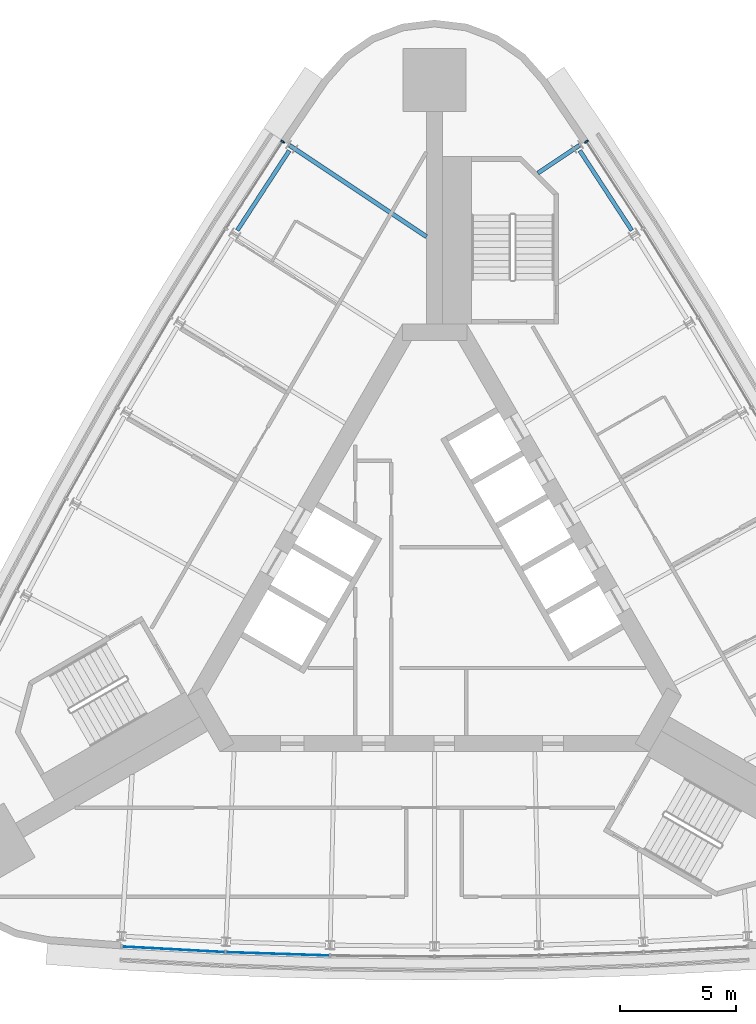
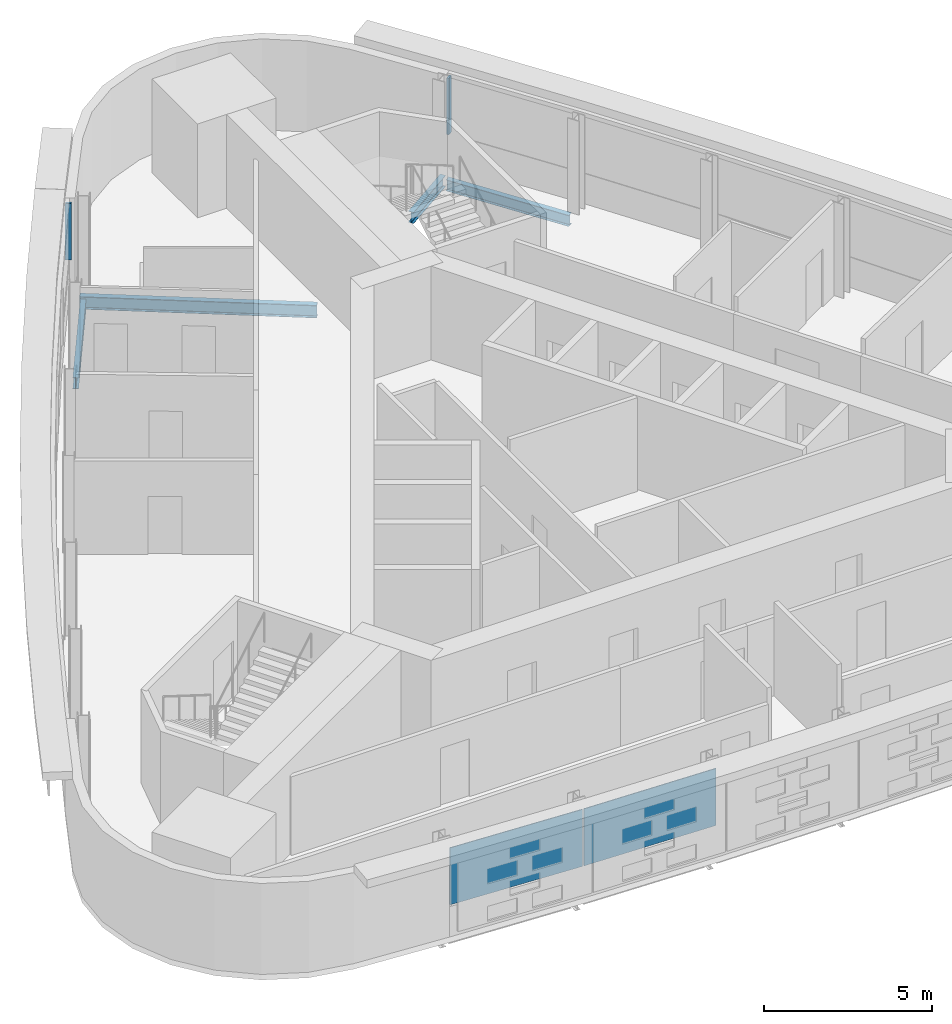
# One storey, part 5 of 10: 4 beams, 2 members, 2 plates, 3 elements without a shape of their own.
"""IFC4 building model written with IfcOpenShell, lengths in metres."""

from ifc_helpers import new_model, si_unit, direction, frame, origin, origin_2d, place, context, subcontext, project, spatial, rectangle, i_section, extrude, material, layer, layer_set, material_profile, profile_set, type_object, element, aggregate, save


model = new_model("IFC4")

# Units and contexts
model_context = context("Model", 3, precision=1e-05, world=origin(), true_north=direction((0.0, 1.0)))
body_context = subcontext(model_context, "Body", "Model", "MODEL_VIEW")
ifc_project = project(units=[si_unit("LENGTHUNIT", "METRE"), si_unit("AREAUNIT", "SQUARE_METRE"), si_unit("VOLUMEUNIT", "CUBIC_METRE"), si_unit("PLANEANGLEUNIT", "RADIAN"), si_unit("MASSUNIT", "GRAM", prefix="KILO")], contexts=[model_context])

# Site, building, storey
site_placement = place(None, origin())
site = spatial("IfcSite", under=ifc_project, at=site_placement, CompositionType="ELEMENT")
building_placement = place(site_placement, origin())
building = spatial("IfcBuilding", under=site, at=building_placement, Name="Noor Cloister Tower", CompositionType="ELEMENT")
storey_placement = place(building_placement, frame((0.0, 0.0, 195.89990234375)))
storey = spatial("IfcBuildingStorey", under=building, at=storey_placement, Name="L50", CompositionType="ELEMENT", Elevation=195.89990234375)

# Curtain wall, member
ifc_material_1 = material(Name="Aluminium 6063-T6 anodised", Category="aluminium")
curtain_wall_type = type_object("IfcCurtainWallType", Name="Ribbon curtain wall, upper tower CW5", PredefinedType="NOTDEFINED", material=ifc_material_1)
curtain_wall_1_placement = place(storey_placement, origin())
curtain_wall_1 = element("IfcCurtainWall", 1, at=curtain_wall_1_placement, inside=storey, type_object=curtain_wall_type, Name="CW5 L50 NW run 1", PredefinedType="NOTDEFINED")
ifc_material_2 = material(Name="Aluminium 6063-T6 anodised", Category="aluminium")
ifc_material_profile_1 = material_profile(ifc_material_2, rectangle(XDim=0.179931640625, YDim=0.070068359375, at=origin_2d()), Name="180 x 70 mullion")
ifc_profile_set_1 = profile_set([ifc_material_profile_1], Name="Aluminium 6063-T6 anodised")
member_type = type_object("IfcMemberType", Name="Mullion CW5 70 x 180", PredefinedType="MULLION", material=ifc_profile_set_1)
member_1_placement = place(storey_placement, frame((-6.530517578125, 19.30126953125, 1.10009765625), z_axis=(0.0, 0.0, 1.0), x_axis=(0.837721175681, -0.546098188804, 0.0)))
member_1 = element("IfcMember", 2, at=member_1_placement, type_object=member_type, Name="CW5 mullion 1", PredefinedType="MULLION", context=body_context, shape_type="SweptSolid", body=[
    extrude(rectangle(XDim=0.179931640625, YDim=0.070068359375, at=origin_2d()), origin(), (0.0, 0.0, 1.0), 2.050048828125),
])
aggregate(curtain_wall_1, [member_1])

curtain_wall_2_placement = place(storey_placement, origin())
curtain_wall_2 = element("IfcCurtainWall", 3, at=curtain_wall_2_placement, inside=storey, type_object=curtain_wall_type, Name="CW5 L50 NE run 3", PredefinedType="NOTDEFINED")
member_2_placement = place(storey_placement, frame((6.530517578125, 19.30126953125, 1.10009765625), z_axis=(0.0, 0.0, 1.0), x_axis=(-0.837721175681, -0.546098188804, 0.0)))
member_2 = element("IfcMember", 4, at=member_2_placement, type_object=member_type, Name="CW5 mullion 7", PredefinedType="MULLION", context=body_context, shape_type="SweptSolid", body=[
    extrude(rectangle(XDim=0.179931640625, YDim=0.070068359375, at=origin_2d()), origin(), (0.0, 0.0, 1.0), 2.050048828125),
])
aggregate(curtain_wall_2, [member_2])

# Beams
ifc_material_3 = material(Name="Steel ASTM A992 Gr 50", Category="steel")
ifc_material_profile_2 = material_profile(ifc_material_3, i_section(OverallWidth=0.177978515625, OverallDepth=0.406005859375, WebThickness=0.0078125, FlangeThickness=0.0126953125, FilletRadius=0.01025390625, at=origin_2d()), Name="W410x60")
ifc_profile_set_2 = profile_set([ifc_material_profile_2], Name="Steel ASTM A992 Gr 50")
beam_type_1 = type_object("IfcBeamType", Name="Radial beam W410x60", PredefinedType="BEAM", material=ifc_profile_set_2)
beam_1_placement = place(storey_placement, frame((6.230712890625, 19.14208984375, -0.40283203125), z_axis=(-0.831753076632, -0.555145764204, 0.0), x_axis=(0.555145764204, -0.831753076632, 0.0)))
element("IfcBeam", 5, at=beam_1_placement, inside=storey, type_object=beam_type_1, Name="Radial beam NE 07 L50", PredefinedType="BEAM", context=body_context, shape_type="SweptSolid", body=[
    extrude(i_section(OverallWidth=0.177978515625, OverallDepth=0.406005859375, WebThickness=0.0078125, FlangeThickness=0.0126953125, FilletRadius=0.01025390625, at=origin_2d()), origin(), (0.0, 0.0, 1.0), 2.149169921875),
])
ifc_material_4 = material(Name="Steel ASTM A992 Gr 50", Category="steel")
ifc_material_profile_3 = material_profile(ifc_material_4, i_section(OverallWidth=0.19091796875, OverallDepth=0.45703125, WebThickness=0.009033203125, FlangeThickness=0.014404296875, FilletRadius=0.01025390625, at=origin_2d()), Name="W460x74")
ifc_profile_set_3 = profile_set([ifc_material_profile_3], Name="Steel ASTM A992 Gr 50")
beam_type_2 = type_object("IfcBeamType", Name="Radial beam W460x74", PredefinedType="BEAM", material=ifc_profile_set_3)
beam_2_placement = place(storey_placement, frame((-6.230712890625, 19.14208984375, -0.428466796875), z_axis=(0.831747360357, -0.555154328578, 0.0), x_axis=(0.555154328578, 0.831747360357, 0.0)))
element("IfcBeam", 6, at=beam_2_placement, inside=storey, type_object=beam_type_2, Name="Radial beam NW 01 L50", PredefinedType="BEAM", context=body_context, shape_type="SweptSolid", body=[
    extrude(i_section(OverallWidth=0.19091796875, OverallDepth=0.45703125, WebThickness=0.009033203125, FlangeThickness=0.014404296875, FilletRadius=0.01025390625, at=origin_2d()), origin(), (0.0, 0.0, 1.0), 7.0703125),
])
ifc_material_5 = material(Name="Steel ASTM A992 Gr 50", Category="steel")
ifc_material_profile_4 = material_profile(ifc_material_5, i_section(OverallWidth=0.177978515625, OverallDepth=0.406005859375, WebThickness=0.0078125, FlangeThickness=0.0126953125, FilletRadius=0.01025390625, at=origin_2d()), Name="W410x60")
ifc_profile_set_4 = profile_set([ifc_material_profile_4], Name="Steel ASTM A992 Gr 50")
beam_type_3 = type_object("IfcBeamType", Name="Spandrel beam W410x60", PredefinedType="SPANDREL", material=ifc_profile_set_4)
for number, where, z_axis, x_axis, name in (
    (7, (-6.2451171875, 18.914794921875, -0.40283203125), (-0.546111335455, -0.837712605425, 0.0), (0.837712605425, -0.546111335455, 0.0), "Spandrel beam NW 01 L50"),
    (8, (8.48095703125, 15.485107421875, -0.40283203125), (-0.546111335455, 0.837712605425, 0.0), (-0.837712605425, -0.546111335455, 0.0), "Spandrel beam NE 06 L50"),
):
    element("IfcBeam", number, at=place(storey_placement, frame(where, z_axis=z_axis, x_axis=x_axis)), inside=storey, type_object=beam_type_3, Name=name, PredefinedType="SPANDREL", context=body_context, shape_type="SweptSolid", body=[
        extrude(i_section(OverallWidth=0.177978515625, OverallDepth=0.406005859375, WebThickness=0.0078125, FlangeThickness=0.0126953125, FilletRadius=0.01025390625, at=origin_2d()), origin(), (0.0, 0.0, 1.0), 4.093994140625),
    ])

# Curtain wall, plates
curtain_wall_3_placement = place(storey_placement, origin())
curtain_wall_3 = element("IfcCurtainWall", 9, at=curtain_wall_3_placement, inside=storey, type_object=curtain_wall_type, Name="CW5 L50 S run 2", PredefinedType="NOTDEFINED")
ifc_material_6 = material(Name="Clear laminated glass 2 x 8 mm", Category="glass")
ifc_layer = layer(ifc_material_6, 0.028076171875)
ifc_layer_set = layer_set([ifc_layer], Name="Glass panel CW5")
plate_type = type_object("IfcPlateType", Name="Glass panel CW5", PredefinedType="CURTAIN_PANEL", material=ifc_layer_set)
plate_1_placement = place(storey_placement, frame((-11.221435546875, -15.4267578125, 1.08984375), z_axis=(0.0, 0.0, 1.0), x_axis=(0.99853691383, -0.054074316624, 0.0)))
plate_1 = element("IfcPlate", 10, at=plate_1_placement, type_object=plate_type, Name="CW5 glass panel 1", PredefinedType="CURTAIN_PANEL", context=body_context, shape_type="SweptSolid", body=[
    extrude(rectangle(XDim=4.413818359375, YDim=0.028076171875, at=origin_2d()), origin(), (0.0, 0.0, 1.0), 2.070068359375),
])
plate_2_placement = place(storey_placement, frame((-6.7451171875, -15.62060546875, 1.08984375), z_axis=(0.0, 0.0, 1.0), x_axis=(0.999473206863, -0.032454718651, 0.0)))
plate_2 = element("IfcPlate", 11, at=plate_2_placement, type_object=plate_type, Name="CW5 glass panel 2", PredefinedType="CURTAIN_PANEL", context=body_context, shape_type="SweptSolid", body=[
    extrude(rectangle(XDim=4.44775390625, YDim=0.028076171875, at=origin_2d()), origin(), (0.0, 0.0, 1.0), 2.070068359375),
])
aggregate(curtain_wall_3, [plate_1, plate_2])

save(model, "model.ifc")
